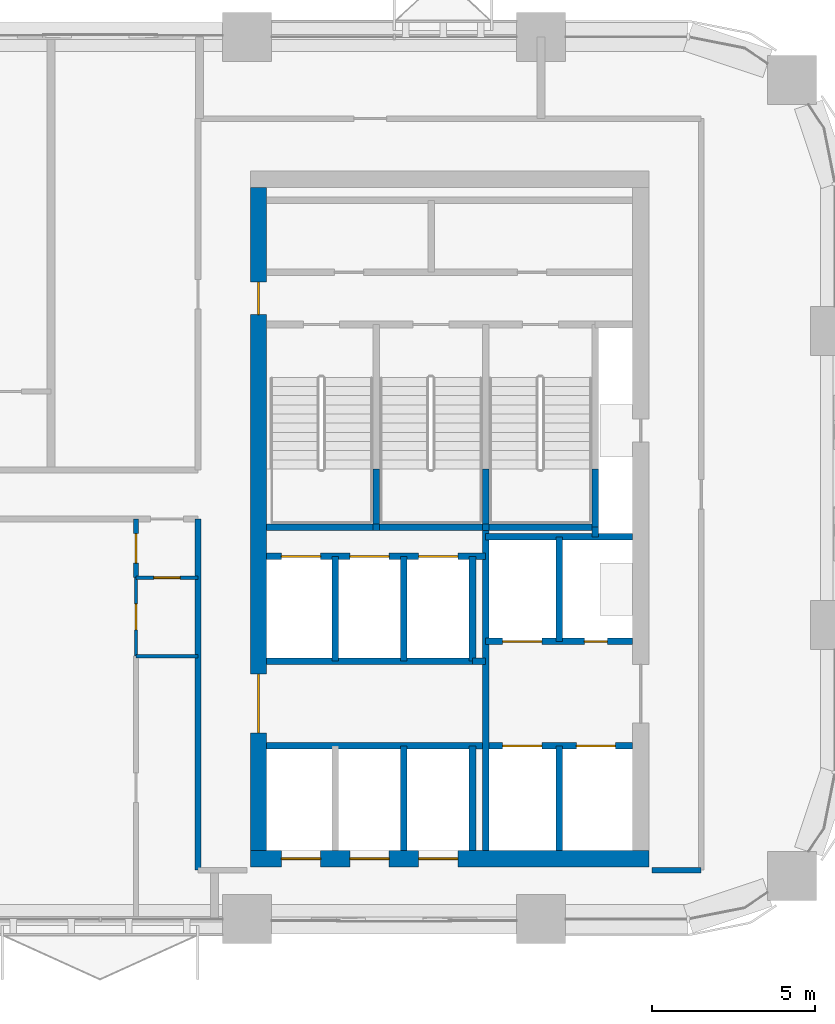
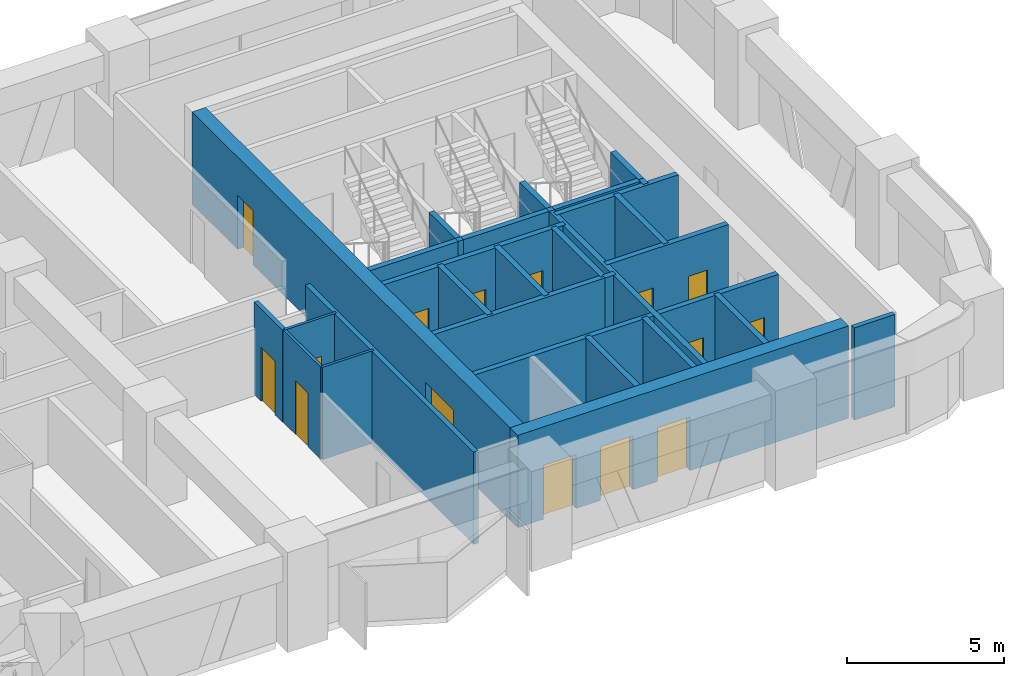
# One storey, part 10 of 14: 31 walls, 15 doors, 15 openings.
"""IFC4 building model written with IfcOpenShell, lengths in metres."""

import ifcopenshell
import ifcopenshell.guid

model = None  # the IFC model being written
_history = None  # IfcOwnerHistory: only IFC2X3 demands one
_inside = {}  # id of a spatial element -> (the spatial element, [elements in it])
_under = {}  # id of a project, library or spatial element -> (it, [spatial elements below it])
_declared = {}  # id of a project -> (the project, [libraries it declares])
_typed = {}  # id of a type object -> (the type object, [elements of that type])
_made_of = {}  # id of a material, layer set ... -> (it, [elements and type objects made of it])


def new_model(schema):
    """Start an empty IFC model of exactly this schema.

    Asked for "IFC4X3", IfcOpenShell would pick the latest addendum, in which some entities
    have other attributes; the version numbers below select the first issue.
    IFC2X3 requires an IfcOwnerHistory on every rooted entity: one is made here for all.
    """
    global model, _history
    if schema == "IFC4X3":
        model = ifcopenshell.file(schema_version=(4, 3, 0, 0))
    else:
        model = ifcopenshell.file(schema=schema)
    _inside.clear()
    _under.clear()
    _declared.clear()
    _typed.clear()
    _made_of.clear()
    _history = None
    if model.schema == "IFC2X3":
        org = make("IfcOrganization", Name="unknown")
        user = make(
            "IfcPersonAndOrganization",
            ThePerson=make("IfcPerson", FamilyName="unknown"),
            TheOrganization=org,
        )
        app = make(
            "IfcApplication",
            ApplicationDeveloper=org,
            Version="unknown",
            ApplicationFullName="unknown",
            ApplicationIdentifier="unknown",
        )
        _history = make(
            "IfcOwnerHistory",
            OwningUser=user,
            OwningApplication=app,
            ChangeAction="ADDED",
            CreationDate=0,
        )
    return model


def make(cls, **values):
    """One entity of the class cls with the attributes given. An attribute that is None is left unset."""
    return model.create_entity(
        cls, **{name: value for name, value in values.items() if value is not None}
    )


def rooted(cls, **values):
    """An entity with a GlobalId (a new one), such as an element, a storey or a relation."""
    return make(cls, GlobalId=ifcopenshell.guid.new(), OwnerHistory=_history, **values)


def si_unit(unit_type, name, prefix=None):
    """IfcSIUnit, for example si_unit("LENGTHUNIT", "METRE", prefix="MILLI")."""
    return make("IfcSIUnit", UnitType=unit_type, Prefix=prefix, Name=name)


def assignment(units):
    """IfcUnitAssignment: the units of a project."""
    return None if units is None else make("IfcUnitAssignment", Units=units)


def point(xyz):
    """IfcCartesianPoint."""
    return None if xyz is None else make("IfcCartesianPoint", Coordinates=xyz)


def direction(xyz):
    """IfcDirection."""
    return None if xyz is None else make("IfcDirection", DirectionRatios=xyz)


def frame(location, z_axis=None, x_axis=None):
    """IfcAxis2Placement3D, a coordinate frame: its origin and axes. An axis left out is left unset."""
    return make(
        "IfcAxis2Placement3D",
        Location=point(location),
        Axis=direction(z_axis),
        RefDirection=direction(x_axis),
    )


def frame_2d(location, x_axis=None):
    """IfcAxis2Placement2D, a coordinate frame in the plane: its origin and x axis."""
    return make(
        "IfcAxis2Placement2D", Location=point(location), RefDirection=direction(x_axis)
    )


def origin():
    """The frame at (0, 0, 0) with its axes left unset."""
    return frame((0.0, 0.0, 0.0))


def place(relative_to, where):
    """IfcLocalPlacement: puts the frame where relative to a parent placement (None: the world)."""
    return make(
        "IfcLocalPlacement", PlacementRelTo=relative_to, RelativePlacement=where
    )


def context(
    kind, dimensions, precision=None, world=None, true_north=None, identifier=None
):
    """IfcGeometricRepresentationContext, for example the 3D "Model" context."""
    return make(
        "IfcGeometricRepresentationContext",
        ContextIdentifier=identifier,
        ContextType=kind,
        CoordinateSpaceDimension=dimensions,
        Precision=precision,
        WorldCoordinateSystem=world,
        TrueNorth=true_north,
    )


def subcontext(parent, identifier, kind, view, scale=None):
    """IfcGeometricRepresentationSubContext, for example "Body" below "Model"."""
    return make(
        "IfcGeometricRepresentationSubContext",
        ContextIdentifier=identifier,
        ContextType=kind,
        ParentContext=parent,
        TargetScale=scale,
        TargetView=view,
    )


def project(units=None, contexts=None):
    """IfcProject with its units and contexts."""
    return rooted(
        "IfcProject",
        Name="project",
        RepresentationContexts=contexts,
        UnitsInContext=assignment(units),
    )


def spatial(cls, under=None, at=None, **own):
    """A site, building, storey or space (cls), placed at a placement, below another one or the project."""
    s = rooted(cls, ObjectPlacement=at, **own)
    if under is not None:
        _under.setdefault(under.id(), (under, []))[1].append(s)
    return s


def profile(cls, at=None, kind="AREA", **sizes):
    """A parametric profile (cls). Its sizes go by their IFC names, for example OverallWidth=200.0."""
    return make(cls, ProfileType=kind, Position=at, **sizes)


def rectangle(**sizes):
    """IfcRectangleProfileDef."""
    return profile("IfcRectangleProfileDef", **sizes)


def extrude(swept, where, along, depth):
    """IfcExtrudedAreaSolid: the profile swept, set in the frame where, extruded along a direction by depth."""
    return make(
        "IfcExtrudedAreaSolid",
        SweptArea=swept,
        Position=where,
        ExtrudedDirection=direction(along),
        Depth=depth,
    )


def shape(context_of_items, identifier, shape_type, items):
    """IfcShapeRepresentation: the items that make up one representation, for example the "Body"."""
    return make(
        "IfcShapeRepresentation",
        ContextOfItems=context_of_items,
        RepresentationIdentifier=identifier,
        RepresentationType=shape_type,
        Items=items,
    )


def material(Name=None, Category=None):
    """IfcMaterial."""
    return make("IfcMaterial", Name=Name, Category=Category)


def layer(
    of_material, thickness, ventilated=None, Name=None, Category=None, Priority=None
):
    """IfcMaterialLayer: one layer of a wall or slab, of a material (None: an air gap)."""
    return make(
        "IfcMaterialLayer",
        Material=of_material,
        LayerThickness=thickness,
        IsVentilated=ventilated,
        Name=Name,
        Category=Category,
        Priority=Priority,
    )


def layer_set(layers, Name=None):
    """IfcMaterialLayerSet."""
    return make("IfcMaterialLayerSet", MaterialLayers=layers, LayerSetName=Name)


def made_of(thing, what):
    """Note that an element or type object is made of a material, layer set ...; save() writes the relation."""
    if what is not None:
        _made_of.setdefault(what.id(), (what, []))[1].append(thing)
    return thing


def type_object(cls, material=None, **own):
    """A type object (cls), such as IfcWallType, which elements share."""
    return made_of(rooted(cls, **own), material)


def element(
    cls,
    number,
    at=None,
    inside=None,
    cuts=None,
    type_object=None,
    material=None,
    context=None,
    identifier="Body",
    shape_type=None,
    held_by="IfcProductDefinitionShape",
    body=None,
    shapes=None,
    **own,
):
    """One element of the class cls, such as IfcWall. Its Tag is "e" and its number.

    at: its placement. inside: the storey or other place that contains it. cuts: it is an
    opening in that element (IfcRelVoidsElement). A single representation is given by context,
    identifier, shape_type and body (its items); several are given by shapes. held_by: the class
    of the entity that holds the representations. save() writes the other relations.
    """
    e = rooted(cls, Tag="e%d" % number, ObjectPlacement=at, **own)
    if body is not None:
        shapes = [shape(context, identifier, shape_type, body)]
    if shapes is not None:
        e.Representation = make(held_by, Representations=shapes)
    if inside is not None:
        _inside.setdefault(inside.id(), (inside, []))[1].append(e)
    if cuts is not None:
        rooted(
            "IfcRelVoidsElement", RelatingBuildingElement=cuts, RelatedOpeningElement=e
        )
    if type_object is not None:
        _typed.setdefault(type_object.id(), (type_object, []))[1].append(e)
    return made_of(e, material)


def fill(opening, filler):
    """IfcRelFillsElement: the door or window that sits in an opening."""
    return rooted(
        "IfcRelFillsElement",
        RelatingOpeningElement=opening,
        RelatedBuildingElement=filler,
    )


def aggregate(whole, parts):
    """IfcRelAggregates: a whole, such as a stair, and the parts it consists of."""
    return rooted("IfcRelAggregates", RelatingObject=whole, RelatedObjects=parts)


def save(model, path):
    """Write the relations noted so far, then the file.

    IfcRelAggregates (storeys below a building ...), IfcRelContainedInSpatialStructure (elements
    in a storey), IfcRelDefinesByType, IfcRelAssociatesMaterial and IfcRelDeclares: one each for
    every whole, place, type object, material and project.
    """
    for whole, parts in _under.values():
        aggregate(whole, parts)
    for where, things in _inside.values():
        rooted(
            "IfcRelContainedInSpatialStructure",
            RelatedElements=things,
            RelatingStructure=where,
        )
    for kind, things in _typed.values():
        rooted("IfcRelDefinesByType", RelatedObjects=things, RelatingType=kind)
    for what, things in _made_of.values():
        rooted("IfcRelAssociatesMaterial", RelatedObjects=things, RelatingMaterial=what)
    for by, libraries in _declared.values():
        rooted("IfcRelDeclares", RelatingContext=by, RelatedDefinitions=libraries)
    model.write(path)


model = new_model("IFC4")

# Units and contexts
model_context = context("Model", 3, precision=1e-05, world=origin(), true_north=direction((0.0, 1.0)))
body_context = subcontext(model_context, "Body", "Model", "MODEL_VIEW")
ifc_project = project(units=[si_unit("LENGTHUNIT", "METRE"), si_unit("AREAUNIT", "SQUARE_METRE"), si_unit("VOLUMEUNIT", "CUBIC_METRE"), si_unit("PLANEANGLEUNIT", "RADIAN"), si_unit("MASSUNIT", "GRAM", prefix="KILO")], contexts=[model_context])

# Site, building, storey
site_placement = place(None, origin())
site = spatial("IfcSite", under=ifc_project, at=site_placement, CompositionType="ELEMENT")
building_placement = place(site_placement, origin())
building = spatial("IfcBuilding", under=site, at=building_placement, Name="Tessera Arch", CompositionType="ELEMENT")
storey_placement = place(building_placement, frame((0.0, 0.0, 142.699951171875)))
storey = spatial("IfcBuildingStorey", under=building, at=storey_placement, Name="L33", CompositionType="ELEMENT", Elevation=142.699951171875)

# Wall
ifc_material_1 = material(Name="Gypsum board on steel stud", Category="steel")
ifc_layer_1 = layer(ifc_material_1, 0.125)
ifc_layer_set_1 = layer_set([ifc_layer_1], Name="Core partition 125 EI 60")
wall_type_1 = type_object("IfcWallType", Name="Core partition 125 EI 60", PredefinedType="PARTITIONING", material=ifc_layer_set_1)
wall_1_placement = place(storey_placement, frame((42.89990234375, 34.89990234375, 0.0), z_axis=(0.0, 0.0, 1.0), x_axis=(1.0, 0.0, 0.0)))
element("IfcWall", 1, at=wall_1_placement, inside=storey, type_object=wall_type_1, Name="L33 C1 partition wall 19", PredefinedType="PARTITIONING", context=body_context, shape_type="SweptSolid", body=[
    extrude(rectangle(XDim=0.400146484375, YDim=0.199951171875, at=frame_2d((0.2001953125, 0.0))), origin(), (0.0, 0.0, 1.0), 3.60009765625),
])

# Wall, openings, doors
ifc_material_2 = material(Name="Concrete C60/75", Category="concrete")
ifc_layer_2 = layer(ifc_material_2, 0.5)
ifc_layer_set_2 = layer_set([ifc_layer_2], Name="Core shell wall 500 C60-75")
wall_type_2 = type_object("IfcWallType", Name="Core shell wall 500 C60-75", PredefinedType="SHEAR", material=ifc_layer_set_2)
wall_2_placement = place(storey_placement, frame((36.10009765625, 28.85009765625, 0.0), z_axis=(0.0, 0.0, 1.0), x_axis=(1.0, 0.0, 0.0)))
wall_2 = element("IfcWall", 2, at=wall_2_placement, inside=storey, type_object=wall_type_2, Name="L33 C1 core wall S", PredefinedType="SHEAR", context=body_context, shape_type="SweptSolid", body=[
    extrude(rectangle(XDim=12.199951171875, YDim=0.5, at=frame_2d((6.10009765625, 0.0))), origin(), (0.0, 0.0, 1.0), 3.60009765625),
])
opening_1_placement = place(wall_2_placement, frame((0.949951171875, 0.0, 0.0)))
opening_1 = element("IfcOpeningElement", 3, at=opening_1_placement, cuts=wall_2, Name="Opening L33-C01", PredefinedType="OPENING", context=body_context, shape_type="SweptSolid", body=[
    extrude(rectangle(XDim=1.199951171875, YDim=2.10009765625, at=frame_2d((0.60009765625, 1.050048828125))), frame((0.0, 0.260009765625, 0.0), z_axis=(0.0, -1.0, 0.0), x_axis=(1.0, 0.0, 0.0)), (0.0, 0.0, 1.0), 0.52001953125),
])
opening_2_placement = place(wall_2_placement, frame((3.050048828125, 0.0, 0.0)))
opening_2 = element("IfcOpeningElement", 4, at=opening_2_placement, cuts=wall_2, Name="Opening L33-C03", PredefinedType="OPENING", context=body_context, shape_type="SweptSolid", body=[
    extrude(rectangle(XDim=1.199951171875, YDim=2.10009765625, at=frame_2d((0.60009765625, 1.050048828125))), frame((0.0, 0.260009765625, 0.0), z_axis=(0.0, -1.0, 0.0), x_axis=(1.0, 0.0, 0.0)), (0.0, 0.0, 1.0), 0.52001953125),
])
opening_3_placement = place(wall_2_placement, frame((5.14990234375, 0.0, 0.0)))
opening_3 = element("IfcOpeningElement", 5, at=opening_3_placement, cuts=wall_2, Name="Opening L33-C05", PredefinedType="OPENING", context=body_context, shape_type="SweptSolid", body=[
    extrude(rectangle(XDim=1.199951171875, YDim=2.10009765625, at=frame_2d((0.60009765625, 1.050048828125))), frame((0.0, 0.260009765625, 0.0), z_axis=(0.0, -1.0, 0.0), x_axis=(1.0, 0.0, 0.0)), (0.0, 0.0, 1.0), 0.52001953125),
])
ifc_material_3 = material(Name="Stainless steel AISI 304", Category="steel")
door_type_1 = type_object("IfcDoorType", Name="Sliding landing door 1200 x 2100", OperationType="SLIDING_TO_LEFT", PredefinedType="DOOR", material=ifc_material_3)
door_1_placement = place(opening_1_placement, origin())
door_1 = element("IfcDoor", 6, at=door_1_placement, inside=storey, type_object=door_type_1, Name="L33 HR1 lift landing door C01 type LD", OperationType="SLIDING_TO_LEFT", OverallHeight=2.10009765625, OverallWidth=1.199951171875, PredefinedType="DOOR", context=body_context, shape_type="SweptSolid", body=[
    extrude(rectangle(XDim=1.199951171875, YDim=2.10009765625, at=frame_2d((0.60009765625, 1.050048828125))), frame((0.0, 0.02490234375, 0.0), z_axis=(0.0, -1.0, 0.0), x_axis=(1.0, 0.0, 0.0)), (0.0, 0.0, 1.0), 0.050048828125),
])
fill(opening_1, door_1)
door_2_placement = place(opening_2_placement, origin())
door_2 = element("IfcDoor", 7, at=door_2_placement, inside=storey, type_object=door_type_1, Name="L33 HR2 lift landing door C03 type LD", OperationType="SLIDING_TO_LEFT", OverallHeight=2.10009765625, OverallWidth=1.199951171875, PredefinedType="DOOR", context=body_context, shape_type="SweptSolid", body=[
    extrude(rectangle(XDim=1.199951171875, YDim=2.10009765625, at=frame_2d((0.60009765625, 1.050048828125))), frame((0.0, 0.02490234375, 0.0), z_axis=(0.0, -1.0, 0.0), x_axis=(1.0, 0.0, 0.0)), (0.0, 0.0, 1.0), 0.050048828125),
])
fill(opening_2, door_2)
door_3_placement = place(opening_3_placement, origin())
door_3 = element("IfcDoor", 8, at=door_3_placement, inside=storey, type_object=door_type_1, Name="L33 HR3 lift landing door C05 type LD", OperationType="SLIDING_TO_LEFT", OverallHeight=2.10009765625, OverallWidth=1.199951171875, PredefinedType="DOOR", context=body_context, shape_type="SweptSolid", body=[
    extrude(rectangle(XDim=1.199951171875, YDim=2.10009765625, at=frame_2d((0.60009765625, 1.050048828125))), frame((0.0, 0.02490234375, 0.0), z_axis=(0.0, -1.0, 0.0), x_axis=(1.0, 0.0, 0.0)), (0.0, 0.0, 1.0), 0.050048828125),
])
fill(opening_3, door_3)

wall_3_placement = place(storey_placement, frame((36.35009765625, 29.10009765625, 0.0), z_axis=(0.0, 0.0, 1.0), x_axis=(0.0, 1.0, 0.0)))
wall_3 = element("IfcWall", 9, at=wall_3_placement, inside=storey, type_object=wall_type_2, Name="L33 C1 core wall W", PredefinedType="SHEAR", context=body_context, shape_type="SweptSolid", body=[
    extrude(rectangle(XDim=20.2998046875, YDim=0.5, at=frame_2d((10.14990234375, 0.0))), origin(), (0.0, 0.0, 1.0), 3.60009765625),
])
opening_4_placement = place(wall_3_placement, frame((3.60009765625, 0.0, 0.0)))
opening_4 = element("IfcOpeningElement", 10, at=opening_4_placement, cuts=wall_3, Name="Opening L33-C10", PredefinedType="OPENING", context=body_context, shape_type="SweptSolid", body=[
    extrude(rectangle(XDim=1.800048828125, YDim=2.10009765625, at=frame_2d((0.89990234375, 1.050048828125))), frame((0.0, 0.260009765625, 0.0), z_axis=(0.0, -1.0, 0.0), x_axis=(1.0, 0.0, 0.0)), (0.0, 0.0, 1.0), 0.52001953125),
])
opening_5_placement = place(wall_3_placement, frame((16.39990234375, 0.0, 0.0)))
opening_5 = element("IfcOpeningElement", 11, at=opening_5_placement, cuts=wall_3, Name="Opening L33-C17", PredefinedType="OPENING", context=body_context, shape_type="SweptSolid", body=[
    extrude(rectangle(XDim=1.0, YDim=2.10009765625, at=frame_2d((0.5, 1.050048828125))), frame((0.0, 0.260009765625, 0.0), z_axis=(0.0, -1.0, 0.0), x_axis=(1.0, 0.0, 0.0)), (0.0, 0.0, 1.0), 0.52001953125),
])
ifc_material_4 = material(Name="Steel door leaf", Category="steel")
door_type_2 = type_object("IfcDoorType", Name="Corridor door FD60 1000 x 2100", OperationType="SINGLE_SWING_LEFT", PredefinedType="DOOR", material=ifc_material_4)
door_4_placement = place(opening_5_placement, origin())
door_4 = element("IfcDoor", 12, at=door_4_placement, inside=storey, type_object=door_type_2, Name="L33 C1 door 17 C17 type D12", OperationType="SINGLE_SWING_RIGHT", OverallHeight=2.10009765625, OverallWidth=1.0, PredefinedType="DOOR", context=body_context, shape_type="SweptSolid", body=[
    extrude(rectangle(XDim=1.0, YDim=2.10009765625, at=frame_2d((0.5, 1.050048828125))), frame((0.0, 0.02490234375, 0.0), z_axis=(0.0, -1.0, 0.0), x_axis=(1.0, 0.0, 0.0)), (0.0, 0.0, 1.0), 0.050048828125),
])
fill(opening_5, door_4)
ifc_material_5 = material(Name="Glazed steel door leaf", Category="steel")
door_type_3 = type_object("IfcDoorType", Name="Lobby double door FD30S 1800 x 2100", OperationType="DOUBLE_DOOR_SINGLE_SWING", PredefinedType="DOOR", material=ifc_material_5)
door_5_placement = place(opening_4_placement, origin())
door_5 = element("IfcDoor", 13, at=door_5_placement, inside=storey, type_object=door_type_3, Name="L33 C1 door 10 C10 type D06", OperationType="DOUBLE_DOOR_SINGLE_SWING", OverallHeight=2.10009765625, OverallWidth=1.800048828125, PredefinedType="DOOR", context=body_context, shape_type="SweptSolid", body=[
    extrude(rectangle(XDim=1.800048828125, YDim=2.10009765625, at=frame_2d((0.89990234375, 1.050048828125))), frame((0.0, 0.02490234375, 0.0), z_axis=(0.0, -1.0, 0.0), x_axis=(1.0, 0.0, 0.0)), (0.0, 0.0, 1.0), 0.050048828125),
])
fill(opening_4, door_5)

# Walls
ifc_material_6 = material(Name="Gypsum board on deep steel stud with mineral wool", Category="steel")
ifc_layer_3 = layer(ifc_material_6, 0.175048828125)
ifc_layer_set_3 = layer_set([ifc_layer_3], Name="Corridor wall 175 EI 60")
wall_type_3 = type_object("IfcWallType", Name="Corridor wall 175 EI 60", PredefinedType="PARTITIONING", material=ifc_layer_set_3)
wall_4_placement = place(storey_placement, frame((48.39990234375, 28.5, 0.0), z_axis=(0.0, 0.0, 1.0), x_axis=(1.0, 0.0, 0.0)))
element("IfcWall", 14, at=wall_4_placement, inside=storey, type_object=wall_type_3, Name="L33 partition 4", PredefinedType="PARTITIONING", context=body_context, shape_type="SweptSolid", body=[
    extrude(rectangle(XDim=1.5, YDim=0.175048828125, at=frame_2d((0.75, 0.0))), origin(), (0.0, 0.0, 1.0), 3.60009765625),
])
wall_5_placement = place(storey_placement, frame((34.5, 28.5, 0.0), z_axis=(0.0, 0.0, 1.0), x_axis=(0.0, 1.0, 0.0)))
element("IfcWall", 15, at=wall_5_placement, inside=storey, type_object=wall_type_3, Name="L33 partition 14", PredefinedType="PARTITIONING", context=body_context, shape_type="SweptSolid", body=[
    extrude(rectangle(XDim=10.75, YDim=0.175048828125, at=frame_2d((5.375, 0.0))), origin(), (0.0, 0.0, 1.0), 3.60009765625),
])

# Wall, opening, door
ifc_material_7 = material(Name="Gypsum board on steel stud", Category="steel")
ifc_layer_4 = layer(ifc_material_7, 0.14990234375)
ifc_layer_set_4 = layer_set([ifc_layer_4], Name="Partition 150")
wall_type_4 = type_object("IfcWallType", Name="Partition 150", PredefinedType="PARTITIONING", material=ifc_layer_set_4)
wall_6_placement = place(storey_placement, frame((32.60009765625, 37.449951171875, 0.0), z_axis=(0.0, 0.0, 1.0), x_axis=(0.0, 1.0, 0.0)))
wall_6 = element("IfcWall", 16, at=wall_6_placement, inside=storey, type_object=wall_type_4, Name="L33 partition 22", PredefinedType="PARTITIONING", context=body_context, shape_type="SweptSolid", body=[
    extrude(rectangle(XDim=1.800048828125, YDim=0.14990234375, at=frame_2d((0.89990234375, 0.0))), origin(), (0.0, 0.0, 1.0), 3.60009765625),
])
opening_6_placement = place(wall_6_placement, frame((0.449951171875, 0.0, 0.0)))
opening_6 = element("IfcOpeningElement", 17, at=opening_6_placement, cuts=wall_6, Name="Opening L33-D003", PredefinedType="OPENING", context=body_context, shape_type="SweptSolid", body=[
    extrude(rectangle(XDim=0.89990234375, YDim=2.10009765625, at=frame_2d((0.449951171875, 1.050048828125))), frame((0.0, 0.0849609375, 0.0), z_axis=(0.0, -1.0, 0.0), x_axis=(1.0, 0.0, 0.0)), (0.0, 0.0, 1.0), 0.169921875),
])
ifc_material_8 = material(Name="Timber door leaf", Category="wood")
door_type_4 = type_object("IfcDoorType", Name="Room door 900 x 2100", OperationType="SINGLE_SWING_LEFT", PredefinedType="DOOR", material=ifc_material_8)
door_6_placement = place(opening_6_placement, origin())
door_6 = element("IfcDoor", 18, at=door_6_placement, inside=storey, type_object=door_type_4, Name="L33 door D003 type D01", OperationType="SINGLE_SWING_RIGHT", OverallHeight=2.10009765625, OverallWidth=0.89990234375, PredefinedType="DOOR", context=body_context, shape_type="SweptSolid", body=[
    extrude(rectangle(XDim=0.89990234375, YDim=2.10009765625, at=frame_2d((0.449951171875, 1.050048828125))), frame((0.0, 0.02490234375, 0.0), z_axis=(0.0, -1.0, 0.0), x_axis=(1.0, 0.0, 0.0)), (0.0, 0.0, 1.0), 0.050048828125),
])
fill(opening_6, door_6)

# Walls
ifc_material_9 = material(Name="Concrete C40/50", Category="concrete")
ifc_layer_5 = layer(ifc_material_9, 0.199951171875)
ifc_layer_set_5 = layer_set([ifc_layer_5], Name="Shaft wall 200 EI 120")
wall_type_5 = type_object("IfcWallType", Name="Shaft wall 200 EI 120", PredefinedType="SOLIDWALL", material=ifc_layer_set_5)
wall_7_placement = place(storey_placement, frame((38.699951171875, 34.89990234375, 0.0), z_axis=(0.0, 0.0, 1.0), x_axis=(0.0, 1.0, 0.0)))
element("IfcWall", 19, at=wall_7_placement, inside=storey, type_object=wall_type_5, Name="L33 C1 shaft wall 2", PredefinedType="SOLIDWALL", context=body_context, shape_type="SweptSolid", body=[
    extrude(rectangle(XDim=3.2001953125, YDim=0.199951171875, at=frame_2d((1.60009765625, 0.0))), origin(), (0.0, 0.0, 1.0), 3.60009765625),
])
wall_8_placement = place(storey_placement, frame((40.800048828125, 29.10009765625, 0.0), z_axis=(0.0, 0.0, 1.0), x_axis=(0.0, 1.0, 0.0)))
element("IfcWall", 20, at=wall_8_placement, inside=storey, type_object=wall_type_5, Name="L33 C1 shaft wall 5", PredefinedType="SOLIDWALL", context=body_context, shape_type="SweptSolid", body=[
    extrude(rectangle(XDim=3.199951171875, YDim=0.199951171875, at=frame_2d((1.60009765625, 0.0))), origin(), (0.0, 0.0, 1.0), 3.60009765625),
])
wall_9_placement = place(storey_placement, frame((40.800048828125, 34.89990234375, 0.0), z_axis=(0.0, 0.0, 1.0), x_axis=(0.0, 1.0, 0.0)))
element("IfcWall", 21, at=wall_9_placement, inside=storey, type_object=wall_type_5, Name="L33 C1 shaft wall 6", PredefinedType="SOLIDWALL", context=body_context, shape_type="SweptSolid", body=[
    extrude(rectangle(XDim=3.2001953125, YDim=0.199951171875, at=frame_2d((1.60009765625, 0.0))), origin(), (0.0, 0.0, 1.0), 3.60009765625),
])
wall_10_placement = place(storey_placement, frame((42.89990234375, 29.10009765625, 0.0), z_axis=(0.0, 0.0, 1.0), x_axis=(0.0, 1.0, 0.0)))
element("IfcWall", 22, at=wall_10_placement, inside=storey, type_object=wall_type_5, Name="L33 C1 shaft wall 8", PredefinedType="SOLIDWALL", context=body_context, shape_type="SweptSolid", body=[
    extrude(rectangle(XDim=3.199951171875, YDim=0.199951171875, at=frame_2d((1.60009765625, 0.0))), origin(), (0.0, 0.0, 1.0), 3.60009765625),
])
wall_11_placement = place(storey_placement, frame((42.89990234375, 34.89990234375, 0.0), z_axis=(0.0, 0.0, 1.0), x_axis=(0.0, 1.0, 0.0)))
element("IfcWall", 23, at=wall_11_placement, inside=storey, type_object=wall_type_5, Name="L33 C1 shaft wall 9", PredefinedType="SOLIDWALL", context=body_context, shape_type="SweptSolid", body=[
    extrude(rectangle(XDim=3.2001953125, YDim=0.199951171875, at=frame_2d((1.60009765625, 0.0))), origin(), (0.0, 0.0, 1.0), 3.60009765625),
])
wall_12_placement = place(storey_placement, frame((43.300048828125, 29.10009765625, 0.0), z_axis=(0.0, 0.0, 1.0), x_axis=(0.0, 1.0, 0.0)))
element("IfcWall", 24, at=wall_12_placement, inside=storey, type_object=wall_type_5, Name="L33 C1 shaft wall 10", PredefinedType="SOLIDWALL", context=body_context, shape_type="SweptSolid", body=[
    extrude(rectangle(XDim=9.89990234375, YDim=0.199951171875, at=frame_2d((4.949951171875, 0.0))), origin(), (0.0, 0.0, 1.0), 3.60009765625),
])
for number, where, z_axis, x_axis, name in (
    (25, (45.550048828125, 29.10009765625, 0.0), (0.0, 0.0, 1.0), (0.0, 1.0, 0.0), "L33 C1 shaft wall 13"),
    (26, (45.550048828125, 35.5, 0.0), (0.0, 0.0, 1.0), (0.0, 1.0, 0.0), "L33 C1 shaft wall 14"),
):
    element("IfcWall", number, at=place(storey_placement, frame(where, z_axis=z_axis, x_axis=x_axis)), inside=storey, type_object=wall_type_5, Name=name, PredefinedType="SOLIDWALL", context=body_context, shape_type="SweptSolid", body=[
        extrude(rectangle(XDim=3.199951171875, YDim=0.199951171875, at=frame_2d((1.60009765625, 0.0))), origin(), (0.0, 0.0, 1.0), 3.60009765625),
    ])
wall_13_placement = place(storey_placement, frame((46.64990234375, 38.699951171875, 0.0), z_axis=(0.0, 0.0, 1.0), x_axis=(0.0, 1.0, 0.0)))
element("IfcWall", 27, at=wall_13_placement, inside=storey, type_object=wall_type_5, Name="L33 C1 shaft wall 15", PredefinedType="SOLIDWALL", context=body_context, shape_type="SweptSolid", body=[
    extrude(rectangle(XDim=0.300048828125, YDim=0.199951171875, at=frame_2d((0.14990234375, 0.0))), origin(), (0.0, 0.0, 1.0), 3.60009765625),
])

# Wall, openings, doors
wall_14_placement = place(storey_placement, frame((36.60009765625, 32.300048828125, 0.0), z_axis=(0.0, 0.0, 1.0), x_axis=(1.0, 0.0, 0.0)))
wall_14 = element("IfcWall", 28, at=wall_14_placement, inside=storey, type_object=wall_type_5, Name="L33 C1 shaft wall 18", PredefinedType="SOLIDWALL", context=body_context, shape_type="SweptSolid", body=[
    extrude(rectangle(XDim=11.199951171875, YDim=0.199951171875, at=frame_2d((5.60009765625, 0.0))), origin(), (0.0, 0.0, 1.0), 3.60009765625),
])
opening_7_placement = place(wall_14_placement, frame((7.22509765625, 0.0, 0.0)))
opening_7 = element("IfcOpeningElement", 29, at=opening_7_placement, cuts=wall_14, Name="Opening L33-C07", PredefinedType="OPENING", context=body_context, shape_type="SweptSolid", body=[
    extrude(rectangle(XDim=1.199951171875, YDim=2.10009765625, at=frame_2d((0.60009765625, 1.050048828125))), frame((0.0, 0.10986328125, 0.0), z_axis=(0.0, -1.0, 0.0), x_axis=(1.0, 0.0, 0.0)), (0.0, 0.0, 1.0), 0.219970703125),
])
opening_8_placement = place(wall_14_placement, frame((9.47509765625, 0.0, 0.0)))
opening_8 = element("IfcOpeningElement", 30, at=opening_8_placement, cuts=wall_14, Name="Opening L33-C08", PredefinedType="OPENING", context=body_context, shape_type="SweptSolid", body=[
    extrude(rectangle(XDim=1.199951171875, YDim=2.10009765625, at=frame_2d((0.60009765625, 1.050048828125))), frame((0.0, 0.10986328125, 0.0), z_axis=(0.0, -1.0, 0.0), x_axis=(1.0, 0.0, 0.0)), (0.0, 0.0, 1.0), 0.219970703125),
])
door_7_placement = place(opening_7_placement, origin())
door_7 = element("IfcDoor", 31, at=door_7_placement, inside=storey, type_object=door_type_1, Name="L33 FF1 lift landing door C07 type LD", OperationType="SLIDING_TO_LEFT", OverallHeight=2.10009765625, OverallWidth=1.199951171875, PredefinedType="DOOR", context=body_context, shape_type="SweptSolid", body=[
    extrude(rectangle(XDim=1.199951171875, YDim=2.10009765625, at=frame_2d((0.60009765625, 1.050048828125))), frame((0.0, 0.02490234375, 0.0), z_axis=(0.0, -1.0, 0.0), x_axis=(1.0, 0.0, 0.0)), (0.0, 0.0, 1.0), 0.050048828125),
])
fill(opening_7, door_7)
door_8_placement = place(opening_8_placement, origin())
door_8 = element("IfcDoor", 32, at=door_8_placement, inside=storey, type_object=door_type_1, Name="L33 FF2 lift landing door C08 type LD", OperationType="SLIDING_TO_LEFT", OverallHeight=2.10009765625, OverallWidth=1.199951171875, PredefinedType="DOOR", context=body_context, shape_type="SweptSolid", body=[
    extrude(rectangle(XDim=1.199951171875, YDim=2.10009765625, at=frame_2d((0.60009765625, 1.050048828125))), frame((0.0, 0.02490234375, 0.0), z_axis=(0.0, -1.0, 0.0), x_axis=(1.0, 0.0, 0.0)), (0.0, 0.0, 1.0), 0.050048828125),
])
fill(opening_8, door_8)

# Wall
wall_15_placement = place(storey_placement, frame((36.60009765625, 34.89990234375, 0.0), z_axis=(0.0, 0.0, 1.0), x_axis=(1.0, 0.0, 0.0)))
element("IfcWall", 33, at=wall_15_placement, inside=storey, type_object=wall_type_5, Name="L33 C1 shaft wall 20", PredefinedType="SOLIDWALL", context=body_context, shape_type="SweptSolid", body=[
    extrude(rectangle(XDim=6.2998046875, YDim=0.199951171875, at=frame_2d((3.14990234375, 0.0))), origin(), (0.0, 0.0, 1.0), 3.60009765625),
])

# Wall, openings, doors
wall_16_placement = place(storey_placement, frame((43.300048828125, 35.5, 0.0), z_axis=(0.0, 0.0, 1.0), x_axis=(1.0, 0.0, 0.0)))
wall_16 = element("IfcWall", 34, at=wall_16_placement, inside=storey, type_object=wall_type_5, Name="L33 C1 shaft wall 21", PredefinedType="SOLIDWALL", context=body_context, shape_type="SweptSolid", body=[
    extrude(rectangle(XDim=4.5, YDim=0.199951171875, at=frame_2d((2.25, 0.0))), origin(), (0.0, 0.0, 1.0), 3.60009765625),
])
opening_9_placement = place(wall_16_placement, frame((0.52490234375, 0.0, 0.0)))
opening_9 = element("IfcOpeningElement", 35, at=opening_9_placement, cuts=wall_16, Name="Opening L33-C09", PredefinedType="OPENING", context=body_context, shape_type="SweptSolid", body=[
    extrude(rectangle(XDim=1.199951171875, YDim=2.10009765625, at=frame_2d((0.60009765625, 1.050048828125))), frame((0.0, 0.10986328125, 0.0), z_axis=(0.0, -1.0, 0.0), x_axis=(1.0, 0.0, 0.0)), (0.0, 0.0, 1.0), 0.219970703125),
])
opening_10_placement = place(wall_16_placement, frame((3.02490234375, 0.0, 0.0)))
opening_10 = element("IfcOpeningElement", 36, at=opening_10_placement, cuts=wall_16, Name="Opening L33-C16", PredefinedType="OPENING", context=body_context, shape_type="SweptSolid", body=[
    extrude(rectangle(XDim=0.699951171875, YDim=2.10009765625, at=frame_2d((0.35009765625, 1.050048828125))), frame((0.0, 0.10986328125, 0.0), z_axis=(0.0, -1.0, 0.0), x_axis=(1.0, 0.0, 0.0)), (0.0, 0.0, 1.0), 0.219970703125),
])
ifc_material_10 = material(Name="Steel door leaf", Category="steel")
door_type_5 = type_object("IfcDoorType", Name="Service shaft door FD60 700 x 2100", OperationType="SINGLE_SWING_LEFT", PredefinedType="DOOR", material=ifc_material_10)
door_9_placement = place(opening_10_placement, origin())
door_9 = element("IfcDoor", 37, at=door_9_placement, inside=storey, type_object=door_type_5, Name="L33 C1 door 16 C16 type D07", OperationType="SINGLE_SWING_RIGHT", OverallHeight=2.10009765625, OverallWidth=0.699951171875, PredefinedType="DOOR", context=body_context, shape_type="SweptSolid", body=[
    extrude(rectangle(XDim=0.699951171875, YDim=2.10009765625, at=frame_2d((0.35009765625, 1.050048828125))), frame((0.0, 0.02490234375, 0.0), z_axis=(0.0, -1.0, 0.0), x_axis=(1.0, 0.0, 0.0)), (0.0, 0.0, 1.0), 0.050048828125),
])
fill(opening_10, door_9)
door_10_placement = place(opening_9_placement, origin())
door_10 = element("IfcDoor", 38, at=door_10_placement, inside=storey, type_object=door_type_1, Name="L33 SV2 lift landing door C09 type LD", OperationType="SLIDING_TO_LEFT", OverallHeight=2.10009765625, OverallWidth=1.199951171875, PredefinedType="DOOR", context=body_context, shape_type="SweptSolid", body=[
    extrude(rectangle(XDim=1.199951171875, YDim=2.10009765625, at=frame_2d((0.60009765625, 1.050048828125))), frame((0.0, 0.02490234375, 0.0), z_axis=(0.0, -1.0, 0.0), x_axis=(1.0, 0.0, 0.0)), (0.0, 0.0, 1.0), 0.050048828125),
])
fill(opening_9, door_10)

wall_17_placement = place(storey_placement, frame((36.60009765625, 38.10009765625, 0.0), z_axis=(0.0, 0.0, 1.0), x_axis=(1.0, 0.0, 0.0)))
wall_17 = element("IfcWall", 39, at=wall_17_placement, inside=storey, type_object=wall_type_5, Name="L33 C1 shaft wall 22", PredefinedType="SOLIDWALL", context=body_context, shape_type="SweptSolid", body=[
    extrude(rectangle(XDim=6.699951171875, YDim=0.199951171875, at=frame_2d((3.35009765625, 0.0))), origin(), (0.0, 0.0, 1.0), 3.60009765625),
])
opening_11_placement = place(wall_17_placement, frame((0.449951171875, 0.0, 0.0)))
opening_11 = element("IfcOpeningElement", 40, at=opening_11_placement, cuts=wall_17, Name="Opening L33-C02", PredefinedType="OPENING", context=body_context, shape_type="SweptSolid", body=[
    extrude(rectangle(XDim=1.199951171875, YDim=2.10009765625, at=frame_2d((0.60009765625, 1.050048828125))), frame((0.0, 0.10986328125, 0.0), z_axis=(0.0, -1.0, 0.0), x_axis=(1.0, 0.0, 0.0)), (0.0, 0.0, 1.0), 0.219970703125),
])
opening_12_placement = place(wall_17_placement, frame((2.550048828125, 0.0, 0.0)))
opening_12 = element("IfcOpeningElement", 41, at=opening_12_placement, cuts=wall_17, Name="Opening L33-C04", PredefinedType="OPENING", context=body_context, shape_type="SweptSolid", body=[
    extrude(rectangle(XDim=1.199951171875, YDim=2.10009765625, at=frame_2d((0.60009765625, 1.050048828125))), frame((0.0, 0.10986328125, 0.0), z_axis=(0.0, -1.0, 0.0), x_axis=(1.0, 0.0, 0.0)), (0.0, 0.0, 1.0), 0.219970703125),
])
opening_13_placement = place(wall_17_placement, frame((4.64990234375, 0.0, 0.0)))
opening_13 = element("IfcOpeningElement", 42, at=opening_13_placement, cuts=wall_17, Name="Opening L33-C06", PredefinedType="OPENING", context=body_context, shape_type="SweptSolid", body=[
    extrude(rectangle(XDim=1.199951171875, YDim=2.10009765625, at=frame_2d((0.60009765625, 1.050048828125))), frame((0.0, 0.10986328125, 0.0), z_axis=(0.0, -1.0, 0.0), x_axis=(1.0, 0.0, 0.0)), (0.0, 0.0, 1.0), 0.219970703125),
])
door_11_placement = place(opening_11_placement, origin())
door_11 = element("IfcDoor", 43, at=door_11_placement, inside=storey, type_object=door_type_1, Name="L33 HR4 lift landing door C02 type LD", OperationType="SLIDING_TO_LEFT", OverallHeight=2.10009765625, OverallWidth=1.199951171875, PredefinedType="DOOR", context=body_context, shape_type="SweptSolid", body=[
    extrude(rectangle(XDim=1.199951171875, YDim=2.10009765625, at=frame_2d((0.60009765625, 1.050048828125))), frame((0.0, 0.02490234375, 0.0), z_axis=(0.0, -1.0, 0.0), x_axis=(1.0, 0.0, 0.0)), (0.0, 0.0, 1.0), 0.050048828125),
])
fill(opening_11, door_11)
door_12_placement = place(opening_12_placement, origin())
door_12 = element("IfcDoor", 44, at=door_12_placement, inside=storey, type_object=door_type_1, Name="L33 HR5 lift landing door C04 type LD", OperationType="SLIDING_TO_LEFT", OverallHeight=2.10009765625, OverallWidth=1.199951171875, PredefinedType="DOOR", context=body_context, shape_type="SweptSolid", body=[
    extrude(rectangle(XDim=1.199951171875, YDim=2.10009765625, at=frame_2d((0.60009765625, 1.050048828125))), frame((0.0, 0.02490234375, 0.0), z_axis=(0.0, -1.0, 0.0), x_axis=(1.0, 0.0, 0.0)), (0.0, 0.0, 1.0), 0.050048828125),
])
fill(opening_12, door_12)
door_13_placement = place(opening_13_placement, origin())
door_13 = element("IfcDoor", 45, at=door_13_placement, inside=storey, type_object=door_type_1, Name="L33 HR6 lift landing door C06 type LD", OperationType="SLIDING_TO_LEFT", OverallHeight=2.10009765625, OverallWidth=1.199951171875, PredefinedType="DOOR", context=body_context, shape_type="SweptSolid", body=[
    extrude(rectangle(XDim=1.199951171875, YDim=2.10009765625, at=frame_2d((0.60009765625, 1.050048828125))), frame((0.0, 0.02490234375, 0.0), z_axis=(0.0, -1.0, 0.0), x_axis=(1.0, 0.0, 0.0)), (0.0, 0.0, 1.0), 0.050048828125),
])
fill(opening_13, door_13)

# Walls
wall_18_placement = place(storey_placement, frame((43.300048828125, 38.699951171875, 0.0), z_axis=(0.0, 0.0, 1.0), x_axis=(1.0, 0.0, 0.0)))
element("IfcWall", 46, at=wall_18_placement, inside=storey, type_object=wall_type_5, Name="L33 C1 shaft wall 23", PredefinedType="SOLIDWALL", context=body_context, shape_type="SweptSolid", body=[
    extrude(rectangle(XDim=4.5, YDim=0.199951171875, at=frame_2d((2.25, 0.0))), origin(), (0.0, 0.0, 1.0), 3.60009765625),
])
ifc_material_11 = material(Name="Concrete C40/50", Category="concrete")
ifc_layer_6 = layer(ifc_material_11, 0.199951171875)
ifc_layer_set_6 = layer_set([ifc_layer_6], Name="Stair well wall 200 REI 180")
wall_type_6 = type_object("IfcWallType", Name="Stair well wall 200 REI 180", PredefinedType="SOLIDWALL", material=ifc_layer_set_6)
for number, where, z_axis, x_axis, name in (
    (47, (39.949951171875, 39.0, 0.0), (0.0, 0.0, 1.0), (0.0, 1.0, 0.0), "L33 C1 shaft wall 3"),
    (48, (43.300048828125, 39.0, 0.0), (0.0, 0.0, 1.0), (0.0, 1.0, 0.0), "L33 C1 shaft wall 11"),
    (49, (46.64990234375, 39.0, 0.0), (0.0, 0.0, 1.0), (0.0, 1.0, 0.0), "L33 C1 shaft wall 16"),
):
    element("IfcWall", number, at=place(storey_placement, frame(where, z_axis=z_axis, x_axis=x_axis)), inside=storey, type_object=wall_type_6, Name=name, PredefinedType="SOLIDWALL", context=body_context, shape_type="SweptSolid", body=[
        extrude(rectangle(XDim=1.780029296875, YDim=0.199951171875, at=frame_2d((0.89013671875, 0.0))), origin(), (0.0, 0.0, 1.0), 3.60009765625),
    ])
wall_19_placement = place(storey_placement, frame((36.60009765625, 39.0, 0.0), z_axis=(0.0, 0.0, 1.0), x_axis=(1.0, 0.0, 0.0)))
element("IfcWall", 50, at=wall_19_placement, inside=storey, type_object=wall_type_6, Name="L33 C1 shaft wall 24", PredefinedType="SOLIDWALL", context=body_context, shape_type="SweptSolid", body=[
    extrude(rectangle(XDim=3.25, YDim=0.199951171875, at=frame_2d((1.625, 0.0))), origin(), (0.0, 0.0, 1.0), 3.60009765625),
])
wall_20_placement = place(storey_placement, frame((39.85009765625, 39.0, 0.0), z_axis=(0.0, 0.0, 1.0), x_axis=(1.0, 0.0, 0.0)))
element("IfcWall", 51, at=wall_20_placement, inside=storey, type_object=wall_type_6, Name="L33 C1 shaft wall 25", PredefinedType="SOLIDWALL", context=body_context, shape_type="SweptSolid", body=[
    extrude(rectangle(XDim=0.199951171875, YDim=0.199951171875, at=frame_2d((0.10009765625, 0.0))), origin(), (0.0, 0.0, 1.0), 3.60009765625),
])
wall_21_placement = place(storey_placement, frame((40.050048828125, 39.0, 0.0), z_axis=(0.0, 0.0, 1.0), x_axis=(1.0, 0.0, 0.0)))
element("IfcWall", 52, at=wall_21_placement, inside=storey, type_object=wall_type_6, Name="L33 C1 shaft wall 26", PredefinedType="SOLIDWALL", context=body_context, shape_type="SweptSolid", body=[
    extrude(rectangle(XDim=3.14990234375, YDim=0.199951171875, at=frame_2d((1.574951171875, 0.0))), origin(), (0.0, 0.0, 1.0), 3.60009765625),
])
wall_22_placement = place(storey_placement, frame((43.199951171875, 39.0, 0.0), z_axis=(0.0, 0.0, 1.0), x_axis=(1.0, 0.0, 0.0)))
element("IfcWall", 53, at=wall_22_placement, inside=storey, type_object=wall_type_6, Name="L33 C1 shaft wall 27", PredefinedType="SOLIDWALL", context=body_context, shape_type="SweptSolid", body=[
    extrude(rectangle(XDim=0.199951171875, YDim=0.199951171875, at=frame_2d((0.10009765625, 0.0))), origin(), (0.0, 0.0, 1.0), 3.60009765625),
])
wall_23_placement = place(storey_placement, frame((43.39990234375, 39.0, 0.0), z_axis=(0.0, 0.0, 1.0), x_axis=(1.0, 0.0, 0.0)))
element("IfcWall", 54, at=wall_23_placement, inside=storey, type_object=wall_type_6, Name="L33 C1 shaft wall 28", PredefinedType="SOLIDWALL", context=body_context, shape_type="SweptSolid", body=[
    extrude(rectangle(XDim=3.25, YDim=0.199951171875, at=frame_2d((1.625, 0.0))), origin(), (0.0, 0.0, 1.0), 3.60009765625),
])
ifc_material_12 = material(Name="Moisture-resistant board on pre-plumbed steel stud", Category="steel")
ifc_layer_7 = layer(ifc_material_12, 0.10009765625)
ifc_layer_set_7 = layer_set([ifc_layer_7], Name="Wet wall 100")
wall_type_7 = type_object("IfcWallType", Name="Wet wall 100", PredefinedType="PARTITIONING", material=ifc_layer_set_7)
wall_24_placement = place(storey_placement, frame((32.60009765625, 35.050048828125, 0.0), z_axis=(0.0, 0.0, 1.0), x_axis=(1.0, 0.0, 0.0)))
element("IfcWall", 55, at=wall_24_placement, inside=storey, type_object=wall_type_7, Name="L33 partition 34", PredefinedType="PARTITIONING", context=body_context, shape_type="SweptSolid", body=[
    extrude(rectangle(XDim=1.89990234375, YDim=0.10009765625, at=frame_2d((0.949951171875, 0.0))), origin(), (0.0, 0.0, 1.0), 3.60009765625),
])

# Wall, opening, door
wall_25_placement = place(storey_placement, frame((32.60009765625, 37.449951171875, 0.0), z_axis=(0.0, 0.0, 1.0), x_axis=(1.0, 0.0, 0.0)))
wall_25 = element("IfcWall", 56, at=wall_25_placement, inside=storey, type_object=wall_type_7, Name="L33 partition 36", PredefinedType="PARTITIONING", context=body_context, shape_type="SweptSolid", body=[
    extrude(rectangle(XDim=1.89990234375, YDim=0.10009765625, at=frame_2d((0.949951171875, 0.0))), origin(), (0.0, 0.0, 1.0), 3.60009765625),
])
opening_14_placement = place(wall_25_placement, frame((0.550048828125, 0.0, 0.0)))
opening_14 = element("IfcOpeningElement", 57, at=opening_14_placement, cuts=wall_25, Name="Opening L33-D004", PredefinedType="OPENING", context=body_context, shape_type="SweptSolid", body=[
    extrude(rectangle(XDim=0.800048828125, YDim=2.10009765625, at=frame_2d((0.39990234375, 1.050048828125))), frame((0.0, 0.06005859375, 0.0), z_axis=(0.0, -1.0, 0.0), x_axis=(1.0, 0.0, 0.0)), (0.0, 0.0, 1.0), 0.1201171875),
])
ifc_material_13 = material(Name="Timber door leaf", Category="wood")
door_type_6 = type_object("IfcDoorType", Name="En-suite door 800 x 2100", OperationType="SINGLE_SWING_LEFT", PredefinedType="DOOR", material=ifc_material_13)
door_14_placement = place(opening_14_placement, origin())
door_14 = element("IfcDoor", 58, at=door_14_placement, inside=storey, type_object=door_type_6, Name="L33 door D004 type D02", OperationType="SINGLE_SWING_RIGHT", OverallHeight=2.10009765625, OverallWidth=0.800048828125, PredefinedType="DOOR", context=body_context, shape_type="SweptSolid", body=[
    extrude(rectangle(XDim=0.800048828125, YDim=2.10009765625, at=frame_2d((0.39990234375, 1.050048828125))), frame((0.0, 0.02490234375, 0.0), z_axis=(0.0, -1.0, 0.0), x_axis=(1.0, 0.0, 0.0)), (0.0, 0.0, 1.0), 0.050048828125),
])
fill(opening_14, door_14)

wall_26_placement = place(storey_placement, frame((32.60009765625, 35.050048828125, 0.0), z_axis=(0.0, 0.0, 1.0), x_axis=(0.0, 1.0, 0.0)))
wall_26 = element("IfcWall", 59, at=wall_26_placement, inside=storey, type_object=wall_type_7, Name="L33 partition 41", PredefinedType="PARTITIONING", context=body_context, shape_type="SweptSolid", body=[
    extrude(rectangle(XDim=2.39990234375, YDim=0.10009765625, at=frame_2d((1.199951171875, 0.0))), origin(), (0.0, 0.0, 1.0), 3.60009765625),
])
opening_15_placement = place(wall_26_placement, frame((0.800048828125, 0.0, 0.0)))
opening_15 = element("IfcOpeningElement", 60, at=opening_15_placement, cuts=wall_26, Name="Opening L33-D005", PredefinedType="OPENING", context=body_context, shape_type="SweptSolid", body=[
    extrude(rectangle(XDim=0.800048828125, YDim=2.10009765625, at=frame_2d((0.39990234375, 1.050048828125))), frame((0.0, 0.06005859375, 0.0), z_axis=(0.0, -1.0, 0.0), x_axis=(1.0, 0.0, 0.0)), (0.0, 0.0, 1.0), 0.1201171875),
])
door_15_placement = place(opening_15_placement, origin())
door_15 = element("IfcDoor", 61, at=door_15_placement, inside=storey, type_object=door_type_6, Name="L33 door D005 type D02", OperationType="SINGLE_SWING_LEFT", OverallHeight=2.10009765625, OverallWidth=0.800048828125, PredefinedType="DOOR", context=body_context, shape_type="SweptSolid", body=[
    extrude(rectangle(XDim=0.800048828125, YDim=2.10009765625, at=frame_2d((0.39990234375, 1.050048828125))), frame((0.0, 0.02490234375, 0.0), z_axis=(0.0, -1.0, 0.0), x_axis=(1.0, 0.0, 0.0)), (0.0, 0.0, 1.0), 0.050048828125),
])
fill(opening_15, door_15)

save(model, "model.ifc")
